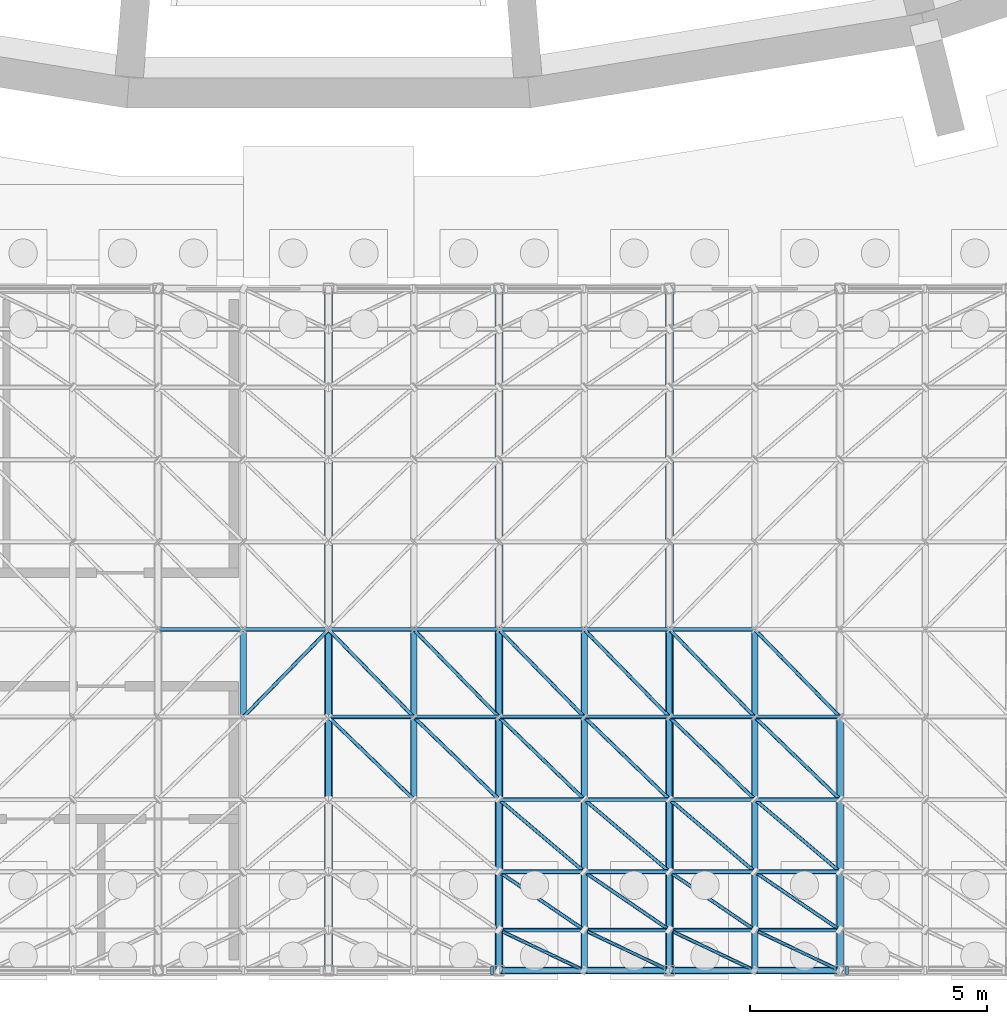
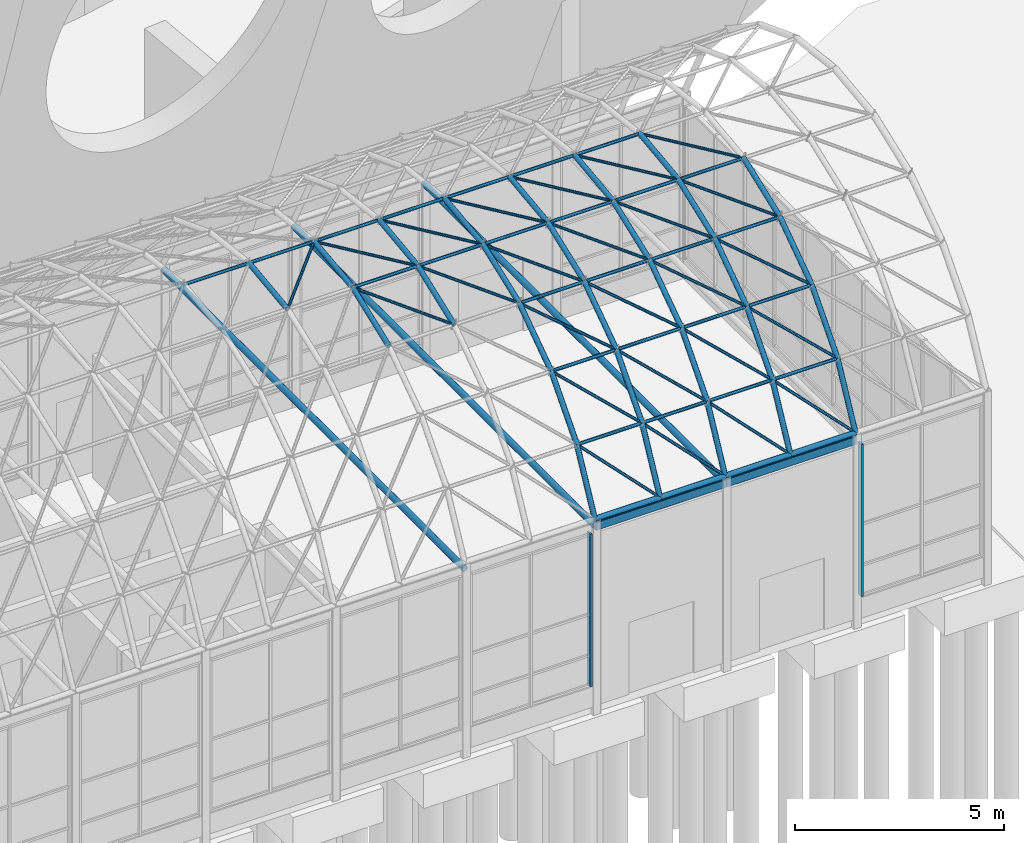
# One storey, part 33 of 116: 88 members, 2 beams, 2 elements without a shape of their own.
"""IFC4 building model written with IfcOpenShell, lengths in metres."""

import ifcopenshell
import ifcopenshell.guid

model = None  # the IFC model being written
_history = None  # IfcOwnerHistory: only IFC2X3 demands one
_inside = {}  # id of a spatial element -> (the spatial element, [elements in it])
_under = {}  # id of a project, library or spatial element -> (it, [spatial elements below it])
_declared = {}  # id of a project -> (the project, [libraries it declares])
_typed = {}  # id of a type object -> (the type object, [elements of that type])
_made_of = {}  # id of a material, layer set ... -> (it, [elements and type objects made of it])


def new_model(schema):
    """Start an empty IFC model of exactly this schema.

    Asked for "IFC4X3", IfcOpenShell would pick the latest addendum, in which some entities
    have other attributes; the version numbers below select the first issue.
    IFC2X3 requires an IfcOwnerHistory on every rooted entity: one is made here for all.
    """
    global model, _history
    if schema == "IFC4X3":
        model = ifcopenshell.file(schema_version=(4, 3, 0, 0))
    else:
        model = ifcopenshell.file(schema=schema)
    _inside.clear()
    _under.clear()
    _declared.clear()
    _typed.clear()
    _made_of.clear()
    _history = None
    if model.schema == "IFC2X3":
        org = make("IfcOrganization", Name="unknown")
        user = make(
            "IfcPersonAndOrganization",
            ThePerson=make("IfcPerson", FamilyName="unknown"),
            TheOrganization=org,
        )
        app = make(
            "IfcApplication",
            ApplicationDeveloper=org,
            Version="unknown",
            ApplicationFullName="unknown",
            ApplicationIdentifier="unknown",
        )
        _history = make(
            "IfcOwnerHistory",
            OwningUser=user,
            OwningApplication=app,
            ChangeAction="ADDED",
            CreationDate=0,
        )
    return model


def make(cls, **values):
    """One entity of the class cls with the attributes given. An attribute that is None is left unset."""
    return model.create_entity(
        cls, **{name: value for name, value in values.items() if value is not None}
    )


def rooted(cls, **values):
    """An entity with a GlobalId (a new one), such as an element, a storey or a relation."""
    return make(cls, GlobalId=ifcopenshell.guid.new(), OwnerHistory=_history, **values)


def si_unit(unit_type, name, prefix=None):
    """IfcSIUnit, for example si_unit("LENGTHUNIT", "METRE", prefix="MILLI")."""
    return make("IfcSIUnit", UnitType=unit_type, Prefix=prefix, Name=name)


def assignment(units):
    """IfcUnitAssignment: the units of a project."""
    return None if units is None else make("IfcUnitAssignment", Units=units)


def point(xyz):
    """IfcCartesianPoint."""
    return None if xyz is None else make("IfcCartesianPoint", Coordinates=xyz)


def direction(xyz):
    """IfcDirection."""
    return None if xyz is None else make("IfcDirection", DirectionRatios=xyz)


def frame(location, z_axis=None, x_axis=None):
    """IfcAxis2Placement3D, a coordinate frame: its origin and axes. An axis left out is left unset."""
    return make(
        "IfcAxis2Placement3D",
        Location=point(location),
        Axis=direction(z_axis),
        RefDirection=direction(x_axis),
    )


def frame_2d(location, x_axis=None):
    """IfcAxis2Placement2D, a coordinate frame in the plane: its origin and x axis."""
    return make(
        "IfcAxis2Placement2D", Location=point(location), RefDirection=direction(x_axis)
    )


def origin():
    """The frame at (0, 0, 0) with its axes left unset."""
    return frame((0.0, 0.0, 0.0))


def origin_2d():
    """The frame at (0, 0) in the plane with its x axis left unset."""
    return frame_2d((0.0, 0.0))


def place(relative_to, where):
    """IfcLocalPlacement: puts the frame where relative to a parent placement (None: the world)."""
    return make(
        "IfcLocalPlacement", PlacementRelTo=relative_to, RelativePlacement=where
    )


def context(
    kind, dimensions, precision=None, world=None, true_north=None, identifier=None
):
    """IfcGeometricRepresentationContext, for example the 3D "Model" context."""
    return make(
        "IfcGeometricRepresentationContext",
        ContextIdentifier=identifier,
        ContextType=kind,
        CoordinateSpaceDimension=dimensions,
        Precision=precision,
        WorldCoordinateSystem=world,
        TrueNorth=true_north,
    )


def subcontext(parent, identifier, kind, view, scale=None):
    """IfcGeometricRepresentationSubContext, for example "Body" below "Model"."""
    return make(
        "IfcGeometricRepresentationSubContext",
        ContextIdentifier=identifier,
        ContextType=kind,
        ParentContext=parent,
        TargetScale=scale,
        TargetView=view,
    )


def project(units=None, contexts=None):
    """IfcProject with its units and contexts."""
    return rooted(
        "IfcProject",
        Name="project",
        RepresentationContexts=contexts,
        UnitsInContext=assignment(units),
    )


def spatial(cls, under=None, at=None, **own):
    """A site, building, storey or space (cls), placed at a placement, below another one or the project."""
    s = rooted(cls, ObjectPlacement=at, **own)
    if under is not None:
        _under.setdefault(under.id(), (under, []))[1].append(s)
    return s


def profile(cls, at=None, kind="AREA", **sizes):
    """A parametric profile (cls). Its sizes go by their IFC names, for example OverallWidth=200.0."""
    return make(cls, ProfileType=kind, Position=at, **sizes)


def rectangle(**sizes):
    """IfcRectangleProfileDef."""
    return profile("IfcRectangleProfileDef", **sizes)


def hollow_rectangle(**sizes):
    """IfcRectangleHollowProfileDef."""
    return profile("IfcRectangleHollowProfileDef", **sizes)


def hollow_circle(**sizes):
    """IfcCircleHollowProfileDef."""
    return profile("IfcCircleHollowProfileDef", **sizes)


def extrude(swept, where, along, depth):
    """IfcExtrudedAreaSolid: the profile swept, set in the frame where, extruded along a direction by depth."""
    return make(
        "IfcExtrudedAreaSolid",
        SweptArea=swept,
        Position=where,
        ExtrudedDirection=direction(along),
        Depth=depth,
    )


def shape(context_of_items, identifier, shape_type, items):
    """IfcShapeRepresentation: the items that make up one representation, for example the "Body"."""
    return make(
        "IfcShapeRepresentation",
        ContextOfItems=context_of_items,
        RepresentationIdentifier=identifier,
        RepresentationType=shape_type,
        Items=items,
    )


def material(Name=None, Category=None):
    """IfcMaterial."""
    return make("IfcMaterial", Name=Name, Category=Category)


def layer(
    of_material, thickness, ventilated=None, Name=None, Category=None, Priority=None
):
    """IfcMaterialLayer: one layer of a wall or slab, of a material (None: an air gap)."""
    return make(
        "IfcMaterialLayer",
        Material=of_material,
        LayerThickness=thickness,
        IsVentilated=ventilated,
        Name=Name,
        Category=Category,
        Priority=Priority,
    )


def layer_set(layers, Name=None):
    """IfcMaterialLayerSet."""
    return make("IfcMaterialLayerSet", MaterialLayers=layers, LayerSetName=Name)


def material_profile(
    of_material, cross_section, Name=None, Category=None, Priority=None
):
    """IfcMaterialProfile: a cross section and its material."""
    return make(
        "IfcMaterialProfile",
        Name=Name,
        Material=of_material,
        Profile=cross_section,
        Priority=Priority,
        Category=Category,
    )


def profile_set(profiles, Name=None, composite=None):
    """IfcMaterialProfileSet."""
    return make(
        "IfcMaterialProfileSet",
        Name=Name,
        MaterialProfiles=profiles,
        CompositeProfile=composite,
    )


def made_of(thing, what):
    """Note that an element or type object is made of a material, layer set ...; save() writes the relation."""
    if what is not None:
        _made_of.setdefault(what.id(), (what, []))[1].append(thing)
    return thing


def type_object(cls, material=None, **own):
    """A type object (cls), such as IfcWallType, which elements share."""
    return made_of(rooted(cls, **own), material)


def element(
    cls,
    number,
    at=None,
    inside=None,
    cuts=None,
    type_object=None,
    material=None,
    context=None,
    identifier="Body",
    shape_type=None,
    held_by="IfcProductDefinitionShape",
    body=None,
    shapes=None,
    **own,
):
    """One element of the class cls, such as IfcWall. Its Tag is "e" and its number.

    at: its placement. inside: the storey or other place that contains it. cuts: it is an
    opening in that element (IfcRelVoidsElement). A single representation is given by context,
    identifier, shape_type and body (its items); several are given by shapes. held_by: the class
    of the entity that holds the representations. save() writes the other relations.
    """
    e = rooted(cls, Tag="e%d" % number, ObjectPlacement=at, **own)
    if body is not None:
        shapes = [shape(context, identifier, shape_type, body)]
    if shapes is not None:
        e.Representation = make(held_by, Representations=shapes)
    if inside is not None:
        _inside.setdefault(inside.id(), (inside, []))[1].append(e)
    if cuts is not None:
        rooted(
            "IfcRelVoidsElement", RelatingBuildingElement=cuts, RelatedOpeningElement=e
        )
    if type_object is not None:
        _typed.setdefault(type_object.id(), (type_object, []))[1].append(e)
    return made_of(e, material)


def aggregate(whole, parts):
    """IfcRelAggregates: a whole, such as a stair, and the parts it consists of."""
    return rooted("IfcRelAggregates", RelatingObject=whole, RelatedObjects=parts)


def save(model, path):
    """Write the relations noted so far, then the file.

    IfcRelAggregates (storeys below a building ...), IfcRelContainedInSpatialStructure (elements
    in a storey), IfcRelDefinesByType, IfcRelAssociatesMaterial and IfcRelDeclares: one each for
    every whole, place, type object, material and project.
    """
    for whole, parts in _under.values():
        aggregate(whole, parts)
    for where, things in _inside.values():
        rooted(
            "IfcRelContainedInSpatialStructure",
            RelatedElements=things,
            RelatingStructure=where,
        )
    for kind, things in _typed.values():
        rooted("IfcRelDefinesByType", RelatedObjects=things, RelatingType=kind)
    for what, things in _made_of.values():
        rooted("IfcRelAssociatesMaterial", RelatedObjects=things, RelatingMaterial=what)
    for by, libraries in _declared.values():
        rooted("IfcRelDeclares", RelatingContext=by, RelatedDefinitions=libraries)
    model.write(path)


model = new_model("IFC4")

# Units and contexts
model_context = context("Model", 3, precision=1e-05, world=origin(), true_north=direction((0.0, 1.0)))
body_context = subcontext(model_context, "Body", "Model", "MODEL_VIEW")
ifc_project = project(units=[si_unit("LENGTHUNIT", "METRE"), si_unit("AREAUNIT", "SQUARE_METRE"), si_unit("VOLUMEUNIT", "CUBIC_METRE"), si_unit("PLANEANGLEUNIT", "RADIAN"), si_unit("MASSUNIT", "GRAM", prefix="KILO")], contexts=[model_context])

# Site, building, storey
site_placement = place(None, origin())
site = spatial("IfcSite", under=ifc_project, at=site_placement, CompositionType="ELEMENT")
building_placement = place(site_placement, origin())
building = spatial("IfcBuilding", under=site, at=building_placement, Name="Ardhachandra Cancer Care Centre", CompositionType="ELEMENT")
storey_placement = place(building_placement, origin())
storey = spatial("IfcBuildingStorey", under=building, at=storey_placement, Name="L00", CompositionType="ELEMENT", Elevation=0.0)

# Beams
ifc_material_1 = material(Name="Steel E350 (IS 2062)", Category="steel")
ifc_material_profile_1 = material_profile(ifc_material_1, hollow_rectangle(XDim=0.1201171875, YDim=0.239990234375, WallThickness=0.006103515625, InnerFilletRadius=0.006103515625, OuterFilletRadius=0.011962890625, at=origin_2d()), Name="RHS 240x120x6.0")
ifc_profile_set_1 = profile_set([ifc_material_profile_1], Name="Steel E350 (IS 2062)")
beam_type = type_object("IfcBeamType", Name="Beam RHS 240x120x6.0", PredefinedType="BEAM", material=ifc_profile_set_1)
beam_1_placement = place(storey_placement, frame((81.60009765625, 7.199951171875, 5.210205078125), z_axis=(1.0, 0.0, 0.0), x_axis=(0.0, 1.0, 0.0)))
element("IfcBeam", 1, at=beam_1_placement, inside=storey, type_object=beam_type, Name="Pavilion edge beam S6-7", PredefinedType="BEAM", context=body_context, shape_type="SweptSolid", body=[
    extrude(hollow_rectangle(XDim=0.1201171875, YDim=0.239990234375, WallThickness=0.006103515625, InnerFilletRadius=0.006103515625, OuterFilletRadius=0.011962890625, at=origin_2d()), origin(), (0.0, 0.0, 1.0), 3.599853515625),
])
beam_2_placement = place(storey_placement, frame((85.199951171875, 7.199951171875, 5.210205078125), z_axis=(1.0, 0.0, 0.0), x_axis=(0.0, 1.0, 0.0)))
element("IfcBeam", 2, at=beam_2_placement, inside=storey, type_object=beam_type, Name="Pavilion edge beam S7-8", PredefinedType="BEAM", context=body_context, shape_type="SweptSolid", body=[
    extrude(hollow_rectangle(XDim=0.1201171875, YDim=0.239990234375, WallThickness=0.006103515625, InnerFilletRadius=0.006103515625, OuterFilletRadius=0.011962890625, at=origin_2d()), origin(), (0.0, 0.0, 1.0), 3.60009765625),
])

# Curtain wall, member
ifc_material_2 = material(Name="Aluminium extrusion", Category="aluminium")
ifc_layer = layer(ifc_material_2, 0.14990234375)
ifc_layer_set = layer_set([ifc_layer], Name="Aluminium extrusion")
curtain_wall_type = type_object("IfcCurtainWallType", Name="Curtain wall run", PredefinedType="NOTDEFINED", material=ifc_layer_set)
curtain_wall_1_placement = place(storey_placement, origin())
curtain_wall_1 = element("IfcCurtainWall", 3, at=curtain_wall_1_placement, inside=storey, type_object=curtain_wall_type, Name="Curtain wall L00 s/0078000_0007200", PredefinedType="NOTDEFINED")
ifc_material_3 = material(Name="Aluminium extrusion", Category="aluminium")
ifc_material_profile_2 = material_profile(ifc_material_3, rectangle(XDim=0.159912109375, YDim=0.06005859375, at=origin_2d()), Name="Curtain wall mullion 60 x 160")
ifc_profile_set_2 = profile_set([ifc_material_profile_2], Name="Aluminium extrusion")
member_type_1 = type_object("IfcMemberType", Name="Curtain wall mullion 60 x 160", PredefinedType="MULLION", material=ifc_profile_set_2)
member_1_placement = place(storey_placement, frame((81.455078125, 7.199951171875, 0.60009765625), z_axis=(0.0, 0.0, 1.0), x_axis=(0.0, 1.0, 0.0)))
member_1 = element("IfcMember", 4, at=member_1_placement, type_object=member_type_1, Name="CW mullion 3", PredefinedType="MULLION", context=body_context, shape_type="SweptSolid", body=[
    extrude(rectangle(XDim=0.159912109375, YDim=0.06005859375, at=origin_2d()), origin(), (0.0, 0.0, 1.0), 4.449951171875),
])
aggregate(curtain_wall_1, [member_1])

curtain_wall_2_placement = place(storey_placement, origin())
curtain_wall_2 = element("IfcCurtainWall", 5, at=curtain_wall_2_placement, inside=storey, type_object=curtain_wall_type, Name="Curtain wall L00 s/0088800_0007200", PredefinedType="NOTDEFINED")
member_2_placement = place(storey_placement, frame((88.945068359375, 7.199951171875, 0.60009765625), z_axis=(0.0, 0.0, 1.0), x_axis=(0.0, 1.0, 0.0)))
member_2 = element("IfcMember", 6, at=member_2_placement, type_object=member_type_1, Name="CW mullion 1", PredefinedType="MULLION", context=body_context, shape_type="SweptSolid", body=[
    extrude(rectangle(XDim=0.159912109375, YDim=0.06005859375, at=origin_2d()), origin(), (0.0, 0.0, 1.0), 4.449951171875),
])
aggregate(curtain_wall_2, [member_2])

# Members
ifc_material_4 = material(Name="Steel E350 (IS 2062)", Category="steel")
ifc_material_profile_3 = material_profile(ifc_material_4, hollow_circle(Radius=0.0380859375, WallThickness=0.00390625, at=origin_2d()), Name="CHS 76.1x4.0")
ifc_profile_set_3 = profile_set([ifc_material_profile_3], Name="Steel E350 (IS 2062)")
member_type_2 = type_object("IfcMemberType", Name="Pavilion shell Diagonal CHS 76.1x4.0", PredefinedType="BRACE", material=ifc_profile_set_3)
for number, where, z_axis, x_axis, name in (
    (7, (76.199951171875, 12.552734375, 10.174560546875), (0.695264712339, 0.713464371837, 0.087037749829), (-0.716182273472, 0.697913283413, 0.0), "Pavilion shell diagonal 07-04"),
    (8, (79.800048828125, 10.813720703125, 9.51171875), (-0.69522740722, 0.671653983674, 0.25600737971), (-0.694808600346, -0.7191946947, 0.0), "Pavilion shell diagonal 09-03"),
    (9, (79.800048828125, 12.552734375, 10.174560546875), (-0.695264712339, 0.713464371837, 0.087037749829), (-0.716182273472, -0.697913283413, 0.0), "Pavilion shell diagonal 09-04"),
    (10, (81.60009765625, 10.813720703125, 9.51171875), (-0.69522740722, 0.671653983674, 0.25600737971), (-0.694808600346, -0.7191946947, 0.0), "Pavilion shell diagonal 10-03"),
    (11, (81.60009765625, 12.552734375, 10.174560546875), (-0.695264712339, 0.713464371837, 0.087037749829), (-0.716182273472, -0.697913283413, 0.0), "Pavilion shell diagonal 10-04"),
    (12, (83.39990234375, 7.199951171875, 5.39990234375), (-0.69516776168, 0.330798766681, 0.638211531613), (-0.429686325077, -0.902978217922, 0.0), "Pavilion shell diagonal 11-00"),
):
    element("IfcMember", number, at=place(storey_placement, frame(where, z_axis=z_axis, x_axis=x_axis)), inside=storey, type_object=member_type_2, Name=name, PredefinedType="BRACE", context=body_context, shape_type="SweptSolid", body=[
        extrude(hollow_circle(Radius=0.0380859375, WallThickness=0.00390625, at=origin_2d()), origin(), (0.0, 0.0, 1.0), 2.589111328125),
    ])
member_3_placement = place(storey_placement, frame((83.39990234375, 8.056396484375, 7.05224609375), z_axis=(-0.695179469854, 0.474517511164, 0.539961698912), x_axis=(-0.56376782788, -0.825933312228, 0.0)))
element("IfcMember", 13, at=member_3_placement, inside=storey, type_object=member_type_2, Name="Pavilion shell diagonal 11-01", PredefinedType="BRACE", context=body_context, shape_type="SweptSolid", body=[
    extrude(hollow_circle(Radius=0.0380859375, WallThickness=0.00390625, at=origin_2d()), origin(), (0.0, 0.0, 1.0), 2.5888671875),
])
member_4_placement = place(storey_placement, frame((83.39990234375, 9.284912109375, 8.4501953125), z_axis=(-0.695149650411, 0.590481159913, 0.409998735755), x_axis=(-0.647396299531, -0.76215354841, 0.0)))
element("IfcMember", 14, at=member_4_placement, inside=storey, type_object=member_type_2, Name="Pavilion shell diagonal 11-02", PredefinedType="BRACE", context=body_context, shape_type="SweptSolid", body=[
    extrude(hollow_circle(Radius=0.0380859375, WallThickness=0.00390625, at=origin_2d()), origin(), (0.0, 0.0, 1.0), 2.589111328125),
])
for number, where, z_axis, x_axis, name in (
    (15, (83.39990234375, 10.813720703125, 9.51171875), (-0.695178684757, 0.671698015671, 0.256024162929), (-0.694857345354, -0.71914759932, 0.0), "Pavilion shell diagonal 11-03"),
    (16, (83.39990234375, 12.552734375, 10.174560546875), (-0.695215992153, 0.713511149841, 0.087043456424), (-0.716229588145, -0.69786472691, 0.0), "Pavilion shell diagonal 11-04"),
):
    element("IfcMember", number, at=place(storey_placement, frame(where, z_axis=z_axis, x_axis=x_axis)), inside=storey, type_object=member_type_2, Name=name, PredefinedType="BRACE", context=body_context, shape_type="SweptSolid", body=[
        extrude(hollow_circle(Radius=0.0380859375, WallThickness=0.00390625, at=origin_2d()), origin(), (0.0, 0.0, 1.0), 2.5888671875),
    ])
for number, where, z_axis, x_axis, name in (
    (17, (85.199951171875, 7.199951171875, 5.39990234375), (-0.695216484809, 0.330777082424, 0.638169696079), (-0.429638804888, -0.903000829088, 0.0), "Pavilion shell diagonal 12-00"),
    (18, (85.199951171875, 8.056396484375, 7.05224609375), (-0.695228192268, 0.474486404923, 0.539926302581), (-0.563715663494, -0.825968916323, 0.0), "Pavilion shell diagonal 12-01"),
):
    element("IfcMember", number, at=place(storey_placement, frame(where, z_axis=z_axis, x_axis=x_axis)), inside=storey, type_object=member_type_2, Name=name, PredefinedType="BRACE", context=body_context, shape_type="SweptSolid", body=[
        extrude(hollow_circle(Radius=0.0380859375, WallThickness=0.00390625, at=origin_2d()), origin(), (0.0, 0.0, 1.0), 2.589111328125),
    ])
member_5_placement = place(storey_placement, frame((85.199951171875, 9.284912109375, 8.4501953125), z_axis=(-0.695198374646, 0.590442455179, 0.409971861245), x_axis=(-0.647345290396, -0.762196874175, 0.0)))
element("IfcMember", 19, at=member_5_placement, inside=storey, type_object=member_type_2, Name="Pavilion shell diagonal 12-02", PredefinedType="BRACE", context=body_context, shape_type="SweptSolid", body=[
    extrude(hollow_circle(Radius=0.0380859375, WallThickness=0.00390625, at=origin_2d()), origin(), (0.0, 0.0, 1.0), 2.58935546875),
])
for number, where, z_axis, x_axis, name in (
    (20, (85.199951171875, 10.813720703125, 9.51171875), (-0.69522740722, 0.671653983674, 0.25600737971), (-0.694808600346, -0.7191946947, 0.0), "Pavilion shell diagonal 12-03"),
    (21, (85.199951171875, 12.552734375, 10.174560546875), (-0.695264712339, 0.713464371837, 0.087037749829), (-0.716182273472, -0.697913283413, 0.0), "Pavilion shell diagonal 12-04"),
    (22, (87.0, 7.199951171875, 5.39990234375), (-0.695216484809, 0.330777082424, 0.638169696079), (-0.429638804888, -0.903000829088, 0.0), "Pavilion shell diagonal 13-00"),
    (23, (87.0, 8.056396484375, 7.05224609375), (-0.695228192268, 0.474486404923, 0.539926302581), (-0.563715663494, -0.825968916323, 0.0), "Pavilion shell diagonal 13-01"),
):
    element("IfcMember", number, at=place(storey_placement, frame(where, z_axis=z_axis, x_axis=x_axis)), inside=storey, type_object=member_type_2, Name=name, PredefinedType="BRACE", context=body_context, shape_type="SweptSolid", body=[
        extrude(hollow_circle(Radius=0.0380859375, WallThickness=0.00390625, at=origin_2d()), origin(), (0.0, 0.0, 1.0), 2.589111328125),
    ])
member_6_placement = place(storey_placement, frame((87.0, 9.284912109375, 8.4501953125), z_axis=(-0.695198374646, 0.590442455179, 0.409971861245), x_axis=(-0.647345290396, -0.762196874175, 0.0)))
element("IfcMember", 24, at=member_6_placement, inside=storey, type_object=member_type_2, Name="Pavilion shell diagonal 13-02", PredefinedType="BRACE", context=body_context, shape_type="SweptSolid", body=[
    extrude(hollow_circle(Radius=0.0380859375, WallThickness=0.00390625, at=origin_2d()), origin(), (0.0, 0.0, 1.0), 2.58935546875),
])
for number, where, z_axis, x_axis, name in (
    (25, (87.0, 10.813720703125, 9.51171875), (-0.69522740722, 0.671653983674, 0.25600737971), (-0.694808600346, -0.7191946947, 0.0), "Pavilion shell diagonal 13-03"),
    (26, (87.0, 12.552734375, 10.174560546875), (-0.695264712339, 0.713464371837, 0.087037749829), (-0.716182273472, -0.697913283413, 0.0), "Pavilion shell diagonal 13-04"),
    (27, (88.800048828125, 7.199951171875, 5.39990234375), (-0.695216484809, 0.330777082424, 0.638169696079), (-0.429638804888, -0.903000829088, 0.0), "Pavilion shell diagonal 14-00"),
    (28, (88.800048828125, 8.056396484375, 7.05224609375), (-0.695228192268, 0.474486404923, 0.539926302581), (-0.563715663494, -0.825968916323, 0.0), "Pavilion shell diagonal 14-01"),
):
    element("IfcMember", number, at=place(storey_placement, frame(where, z_axis=z_axis, x_axis=x_axis)), inside=storey, type_object=member_type_2, Name=name, PredefinedType="BRACE", context=body_context, shape_type="SweptSolid", body=[
        extrude(hollow_circle(Radius=0.0380859375, WallThickness=0.00390625, at=origin_2d()), origin(), (0.0, 0.0, 1.0), 2.589111328125),
    ])
member_7_placement = place(storey_placement, frame((88.800048828125, 9.284912109375, 8.4501953125), z_axis=(-0.695198374646, 0.590442455179, 0.409971861245), x_axis=(-0.647345290396, -0.762196874175, 0.0)))
element("IfcMember", 29, at=member_7_placement, inside=storey, type_object=member_type_2, Name="Pavilion shell diagonal 14-02", PredefinedType="BRACE", context=body_context, shape_type="SweptSolid", body=[
    extrude(hollow_circle(Radius=0.0380859375, WallThickness=0.00390625, at=origin_2d()), origin(), (0.0, 0.0, 1.0), 2.58935546875),
])
for number, where, z_axis, x_axis, name in (
    (30, (88.800048828125, 10.813720703125, 9.51171875), (-0.69522740722, 0.671653983674, 0.25600737971), (-0.694808600346, -0.7191946947, 0.0), "Pavilion shell diagonal 14-03"),
    (31, (88.800048828125, 12.552734375, 10.174560546875), (-0.695264712339, 0.713464371837, 0.087037749829), (-0.716182273472, -0.697913283413, 0.0), "Pavilion shell diagonal 14-04"),
):
    element("IfcMember", number, at=place(storey_placement, frame(where, z_axis=z_axis, x_axis=x_axis)), inside=storey, type_object=member_type_2, Name=name, PredefinedType="BRACE", context=body_context, shape_type="SweptSolid", body=[
        extrude(hollow_circle(Radius=0.0380859375, WallThickness=0.00390625, at=origin_2d()), origin(), (0.0, 0.0, 1.0), 2.589111328125),
    ])
ifc_material_5 = material(Name="Steel E350 (IS 2062)", Category="steel")
ifc_material_profile_4 = material_profile(ifc_material_5, hollow_circle(Radius=0.06982421875, WallThickness=0.0048828125, at=origin_2d()), Name="CHS 139.7x5.0")
ifc_profile_set_4 = profile_set([ifc_material_profile_4], Name="Steel E350 (IS 2062)")
member_type_3 = type_object("IfcMemberType", Name="Pavilion shell Purlin CHS 139.7x5.0", PredefinedType="PURLIN", material=ifc_profile_set_4)
member_8_placement = place(storey_placement, frame((81.60009765625, 7.199951171875, 5.39990234375), z_axis=(1.0, 0.0, 0.0), x_axis=(0.0, 1.0, 0.0)))
element("IfcMember", 32, at=member_8_placement, inside=storey, type_object=member_type_3, Name="Pavilion shell purlin 10-00", PredefinedType="PURLIN", context=body_context, shape_type="SweptSolid", body=[
    extrude(hollow_circle(Radius=0.06982421875, WallThickness=0.0048828125, at=origin_2d()), origin(), (0.0, 0.0, 1.0), 1.7998046875),
])
for number, where, z_axis, x_axis, name in (
    (33, (83.39990234375, 7.199951171875, 5.39990234375), (1.0, 0.0, 0.0), (0.0, 1.0, 0.0), "Pavilion shell purlin 11-00"),
    (34, (85.199951171875, 7.199951171875, 5.39990234375), (1.0, 0.0, 0.0), (0.0, 1.0, 0.0), "Pavilion shell purlin 12-00"),
    (35, (87.0, 7.199951171875, 5.39990234375), (1.0, 0.0, 0.0), (0.0, 1.0, 0.0), "Pavilion shell purlin 13-00"),
):
    element("IfcMember", number, at=place(storey_placement, frame(where, z_axis=z_axis, x_axis=x_axis)), inside=storey, type_object=member_type_3, Name=name, PredefinedType="PURLIN", context=body_context, shape_type="SweptSolid", body=[
        extrude(hollow_circle(Radius=0.06982421875, WallThickness=0.0048828125, at=origin_2d()), origin(), (0.0, 0.0, 1.0), 1.800048828125),
    ])
ifc_material_6 = material(Name="Steel E350 (IS 2062)", Category="steel")
ifc_material_profile_5 = material_profile(ifc_material_6, hollow_circle(Radius=0.04443359375, WallThickness=0.00390625, at=origin_2d()), Name="CHS 88.9x4.0")
ifc_profile_set_5 = profile_set([ifc_material_profile_5], Name="Steel E350 (IS 2062)")
member_type_4 = type_object("IfcMemberType", Name="Pavilion shell Purlin CHS 88.9x4.0", PredefinedType="PURLIN", material=ifc_profile_set_5)
member_9_placement = place(storey_placement, frame((81.60009765625, 8.056396484375, 7.05224609375), z_axis=(1.0, 0.0, 0.0), x_axis=(0.0, 1.0, 0.0)))
element("IfcMember", 36, at=member_9_placement, inside=storey, type_object=member_type_4, Name="Pavilion shell purlin 10-01", PredefinedType="PURLIN", context=body_context, shape_type="SweptSolid", body=[
    extrude(hollow_circle(Radius=0.04443359375, WallThickness=0.00390625, at=origin_2d()), origin(), (0.0, 0.0, 1.0), 1.7998046875),
])
for number, where, z_axis, x_axis, name in (
    (37, (83.39990234375, 8.056396484375, 7.05224609375), (1.0, 0.0, 0.0), (0.0, 1.0, 0.0), "Pavilion shell purlin 11-01"),
    (38, (85.199951171875, 8.056396484375, 7.05224609375), (1.0, 0.0, 0.0), (0.0, 1.0, 0.0), "Pavilion shell purlin 12-01"),
    (39, (87.0, 8.056396484375, 7.05224609375), (1.0, 0.0, 0.0), (0.0, 1.0, 0.0), "Pavilion shell purlin 13-01"),
):
    element("IfcMember", number, at=place(storey_placement, frame(where, z_axis=z_axis, x_axis=x_axis)), inside=storey, type_object=member_type_4, Name=name, PredefinedType="PURLIN", context=body_context, shape_type="SweptSolid", body=[
        extrude(hollow_circle(Radius=0.04443359375, WallThickness=0.00390625, at=origin_2d()), origin(), (0.0, 0.0, 1.0), 1.800048828125),
    ])
member_10_placement = place(storey_placement, frame((81.60009765625, 9.284912109375, 8.4501953125), z_axis=(1.0, 0.0, 0.0), x_axis=(0.0, 1.0, 0.0)))
element("IfcMember", 40, at=member_10_placement, inside=storey, type_object=member_type_4, Name="Pavilion shell purlin 10-02", PredefinedType="PURLIN", context=body_context, shape_type="SweptSolid", body=[
    extrude(hollow_circle(Radius=0.04443359375, WallThickness=0.00390625, at=origin_2d()), origin(), (0.0, 0.0, 1.0), 1.7998046875),
])
for number, where, z_axis, x_axis, name in (
    (41, (83.39990234375, 9.284912109375, 8.4501953125), (1.0, 0.0, 0.0), (0.0, 1.0, 0.0), "Pavilion shell purlin 11-02"),
    (42, (85.199951171875, 9.284912109375, 8.4501953125), (1.0, 0.0, 0.0), (0.0, 1.0, 0.0), "Pavilion shell purlin 12-02"),
    (43, (87.0, 9.284912109375, 8.4501953125), (1.0, 0.0, 0.0), (0.0, 1.0, 0.0), "Pavilion shell purlin 13-02"),
):
    element("IfcMember", number, at=place(storey_placement, frame(where, z_axis=z_axis, x_axis=x_axis)), inside=storey, type_object=member_type_4, Name=name, PredefinedType="PURLIN", context=body_context, shape_type="SweptSolid", body=[
        extrude(hollow_circle(Radius=0.04443359375, WallThickness=0.00390625, at=origin_2d()), origin(), (0.0, 0.0, 1.0), 1.800048828125),
    ])
member_11_placement = place(storey_placement, frame((81.60009765625, 10.813720703125, 9.51171875), z_axis=(1.0, 0.0, 0.0), x_axis=(0.0, 1.0, 0.0)))
element("IfcMember", 44, at=member_11_placement, inside=storey, type_object=member_type_4, Name="Pavilion shell purlin 10-03", PredefinedType="PURLIN", context=body_context, shape_type="SweptSolid", body=[
    extrude(hollow_circle(Radius=0.04443359375, WallThickness=0.00390625, at=origin_2d()), origin(), (0.0, 0.0, 1.0), 1.7998046875),
])
for number, where, z_axis, x_axis, name in (
    (45, (83.39990234375, 10.813720703125, 9.51171875), (1.0, 0.0, 0.0), (0.0, 1.0, 0.0), "Pavilion shell purlin 11-03"),
    (46, (85.199951171875, 10.813720703125, 9.51171875), (1.0, 0.0, 0.0), (0.0, 1.0, 0.0), "Pavilion shell purlin 12-03"),
    (47, (87.0, 10.813720703125, 9.51171875), (1.0, 0.0, 0.0), (0.0, 1.0, 0.0), "Pavilion shell purlin 13-03"),
    (48, (78.0, 12.552734375, 10.174560546875), (1.0, 0.0, 0.0), (0.0, 1.0, 0.0), "Pavilion shell purlin 08-04"),
    (49, (79.800048828125, 12.552734375, 10.174560546875), (1.0, 0.0, 0.0), (0.0, 1.0, 0.0), "Pavilion shell purlin 09-04"),
):
    element("IfcMember", number, at=place(storey_placement, frame(where, z_axis=z_axis, x_axis=x_axis)), inside=storey, type_object=member_type_4, Name=name, PredefinedType="PURLIN", context=body_context, shape_type="SweptSolid", body=[
        extrude(hollow_circle(Radius=0.04443359375, WallThickness=0.00390625, at=origin_2d()), origin(), (0.0, 0.0, 1.0), 1.800048828125),
    ])
member_12_placement = place(storey_placement, frame((81.60009765625, 12.552734375, 10.174560546875), z_axis=(1.0, 0.0, 0.0), x_axis=(0.0, 1.0, 0.0)))
element("IfcMember", 50, at=member_12_placement, inside=storey, type_object=member_type_4, Name="Pavilion shell purlin 10-04", PredefinedType="PURLIN", context=body_context, shape_type="SweptSolid", body=[
    extrude(hollow_circle(Radius=0.04443359375, WallThickness=0.00390625, at=origin_2d()), origin(), (0.0, 0.0, 1.0), 1.7998046875),
])
for number, where, z_axis, x_axis, name in (
    (51, (83.39990234375, 12.552734375, 10.174560546875), (1.0, 0.0, 0.0), (0.0, 1.0, 0.0), "Pavilion shell purlin 11-04"),
    (52, (85.199951171875, 12.552734375, 10.174560546875), (1.0, 0.0, 0.0), (0.0, 1.0, 0.0), "Pavilion shell purlin 12-04"),
    (53, (87.0, 12.552734375, 10.174560546875), (1.0, 0.0, 0.0), (0.0, 1.0, 0.0), "Pavilion shell purlin 13-04"),
    (54, (74.39990234375, 14.39990234375, 10.39990234375), (1.0, 0.0, 0.0), (0.0, 1.0, 0.0), "Pavilion shell purlin 06-05"),
    (55, (76.199951171875, 14.39990234375, 10.39990234375), (1.0, 0.0, 0.0), (0.0, 1.0, 0.0), "Pavilion shell purlin 07-05"),
    (56, (78.0, 14.39990234375, 10.39990234375), (1.0, 0.0, 0.0), (0.0, 1.0, 0.0), "Pavilion shell purlin 08-05"),
    (57, (79.800048828125, 14.39990234375, 10.39990234375), (1.0, 0.0, 0.0), (0.0, 1.0, 0.0), "Pavilion shell purlin 09-05"),
):
    element("IfcMember", number, at=place(storey_placement, frame(where, z_axis=z_axis, x_axis=x_axis)), inside=storey, type_object=member_type_4, Name=name, PredefinedType="PURLIN", context=body_context, shape_type="SweptSolid", body=[
        extrude(hollow_circle(Radius=0.04443359375, WallThickness=0.00390625, at=origin_2d()), origin(), (0.0, 0.0, 1.0), 1.800048828125),
    ])
member_13_placement = place(storey_placement, frame((81.60009765625, 14.39990234375, 10.39990234375), z_axis=(1.0, 0.0, 0.0), x_axis=(0.0, 1.0, 0.0)))
element("IfcMember", 58, at=member_13_placement, inside=storey, type_object=member_type_4, Name="Pavilion shell purlin 10-05", PredefinedType="PURLIN", context=body_context, shape_type="SweptSolid", body=[
    extrude(hollow_circle(Radius=0.04443359375, WallThickness=0.00390625, at=origin_2d()), origin(), (0.0, 0.0, 1.0), 1.7998046875),
])
for number, where, z_axis, x_axis, name in (
    (59, (83.39990234375, 14.39990234375, 10.39990234375), (1.0, 0.0, 0.0), (0.0, 1.0, 0.0), "Pavilion shell purlin 11-05"),
    (60, (85.199951171875, 14.39990234375, 10.39990234375), (1.0, 0.0, 0.0), (0.0, 1.0, 0.0), "Pavilion shell purlin 12-05"),
):
    element("IfcMember", number, at=place(storey_placement, frame(where, z_axis=z_axis, x_axis=x_axis)), inside=storey, type_object=member_type_4, Name=name, PredefinedType="PURLIN", context=body_context, shape_type="SweptSolid", body=[
        extrude(hollow_circle(Radius=0.04443359375, WallThickness=0.00390625, at=origin_2d()), origin(), (0.0, 0.0, 1.0), 1.800048828125),
    ])
ifc_material_7 = material(Name="Steel E350 (IS 2062)", Category="steel")
ifc_material_profile_6 = material_profile(ifc_material_7, hollow_circle(Radius=0.06982421875, WallThickness=0.0048828125, at=origin_2d()), Name="CHS 139.7x5.0")
ifc_profile_set_6 = profile_set([ifc_material_profile_6], Name="Steel E350 (IS 2062)")
member_type_5 = type_object("IfcMemberType", Name="Pavilion shell Rib CHS 139.7x5.0", PredefinedType="RAFTER", material=ifc_profile_set_6)
member_14_placement = place(storey_placement, frame((76.199951171875, 12.552734375, 10.174560546875), z_axis=(0.0, 0.992640877969, 0.121095364838), x_axis=(-1.0, 0.0, 0.0)))
element("IfcMember", 61, at=member_14_placement, inside=storey, type_object=member_type_5, Name="Pavilion shell rib 07-04", PredefinedType="RAFTER", context=body_context, shape_type="SweptSolid", body=[
    extrude(hollow_circle(Radius=0.06982421875, WallThickness=0.0048828125, at=origin_2d()), origin(), (0.0, 0.0, 1.0), 1.86083984375),
])
member_15_placement = place(storey_placement, frame((78.0, 10.813720703125, 9.51171875), z_axis=(0.0, 0.934423296617, 0.356164432165), x_axis=(-1.0, 0.0, 0.0)))
element("IfcMember", 62, at=member_15_placement, inside=storey, type_object=member_type_5, Name="Pavilion shell rib 08-03", PredefinedType="RAFTER", context=body_context, shape_type="SweptSolid", body=[
    extrude(hollow_circle(Radius=0.06982421875, WallThickness=0.0048828125, at=origin_2d()), origin(), (0.0, 0.0, 1.0), 1.861083984375),
])
member_16_placement = place(storey_placement, frame((78.0, 12.552734375, 10.174560546875), z_axis=(0.0, 0.992640877969, 0.121095364838), x_axis=(-1.0, 0.0, 0.0)))
element("IfcMember", 63, at=member_16_placement, inside=storey, type_object=member_type_5, Name="Pavilion shell rib 08-04", PredefinedType="RAFTER", context=body_context, shape_type="SweptSolid", body=[
    extrude(hollow_circle(Radius=0.06982421875, WallThickness=0.0048828125, at=origin_2d()), origin(), (0.0, 0.0, 1.0), 1.86083984375),
])
member_17_placement = place(storey_placement, frame((79.800048828125, 10.813720703125, 9.51171875), z_axis=(0.0, 0.934423296617, 0.356164432165), x_axis=(-1.0, 0.0, 0.0)))
element("IfcMember", 64, at=member_17_placement, inside=storey, type_object=member_type_5, Name="Pavilion shell rib 09-03", PredefinedType="RAFTER", context=body_context, shape_type="SweptSolid", body=[
    extrude(hollow_circle(Radius=0.06982421875, WallThickness=0.0048828125, at=origin_2d()), origin(), (0.0, 0.0, 1.0), 1.861083984375),
])
member_18_placement = place(storey_placement, frame((79.800048828125, 12.552734375, 10.174560546875), z_axis=(0.0, 0.992640877969, 0.121095364838), x_axis=(-1.0, 0.0, 0.0)))
element("IfcMember", 65, at=member_18_placement, inside=storey, type_object=member_type_5, Name="Pavilion shell rib 09-04", PredefinedType="RAFTER", context=body_context, shape_type="SweptSolid", body=[
    extrude(hollow_circle(Radius=0.06982421875, WallThickness=0.0048828125, at=origin_2d()), origin(), (0.0, 0.0, 1.0), 1.86083984375),
])
for number, where, z_axis, x_axis, name in (
    (66, (81.60009765625, 7.199951171875, 5.39990234375), (0.0, 0.460179313582, 0.8878259961), (-1.0, 0.0, 0.0), "Pavilion shell rib 10-00"),
    (67, (81.60009765625, 8.056396484375, 7.05224609375), (0.0, 0.66011909381, 0.751160956112), (-1.0, 0.0, 0.0), "Pavilion shell rib 10-01"),
    (68, (81.60009765625, 9.284912109375, 8.4501953125), (0.0, 0.821407520032, 0.570341727419), (-1.0, 0.0, 0.0), "Pavilion shell rib 10-02"),
    (69, (81.60009765625, 10.813720703125, 9.51171875), (0.0, 0.934423296617, 0.356164432165), (-1.0, 0.0, 0.0), "Pavilion shell rib 10-03"),
):
    element("IfcMember", number, at=place(storey_placement, frame(where, z_axis=z_axis, x_axis=x_axis)), inside=storey, type_object=member_type_5, Name=name, PredefinedType="RAFTER", context=body_context, shape_type="SweptSolid", body=[
        extrude(hollow_circle(Radius=0.06982421875, WallThickness=0.0048828125, at=origin_2d()), origin(), (0.0, 0.0, 1.0), 1.861083984375),
    ])
member_19_placement = place(storey_placement, frame((81.60009765625, 12.552734375, 10.174560546875), z_axis=(0.0, 0.992640877969, 0.121095364838), x_axis=(-1.0, 0.0, 0.0)))
element("IfcMember", 70, at=member_19_placement, inside=storey, type_object=member_type_5, Name="Pavilion shell rib 10-04", PredefinedType="RAFTER", context=body_context, shape_type="SweptSolid", body=[
    extrude(hollow_circle(Radius=0.06982421875, WallThickness=0.0048828125, at=origin_2d()), origin(), (0.0, 0.0, 1.0), 1.86083984375),
])
for number, where, z_axis, x_axis, name in (
    (71, (83.39990234375, 7.199951171875, 5.39990234375), (0.0, 0.460179313582, 0.8878259961), (-1.0, 0.0, 0.0), "Pavilion shell rib 11-00"),
    (72, (83.39990234375, 8.056396484375, 7.05224609375), (0.0, 0.66011909381, 0.751160956112), (-1.0, 0.0, 0.0), "Pavilion shell rib 11-01"),
    (73, (83.39990234375, 9.284912109375, 8.4501953125), (0.0, 0.821407520032, 0.570341727419), (-1.0, 0.0, 0.0), "Pavilion shell rib 11-02"),
    (74, (83.39990234375, 10.813720703125, 9.51171875), (0.0, 0.934423296617, 0.356164432165), (-1.0, 0.0, 0.0), "Pavilion shell rib 11-03"),
):
    element("IfcMember", number, at=place(storey_placement, frame(where, z_axis=z_axis, x_axis=x_axis)), inside=storey, type_object=member_type_5, Name=name, PredefinedType="RAFTER", context=body_context, shape_type="SweptSolid", body=[
        extrude(hollow_circle(Radius=0.06982421875, WallThickness=0.0048828125, at=origin_2d()), origin(), (0.0, 0.0, 1.0), 1.861083984375),
    ])
member_20_placement = place(storey_placement, frame((83.39990234375, 12.552734375, 10.174560546875), z_axis=(0.0, 0.992640877969, 0.121095364838), x_axis=(-1.0, 0.0, 0.0)))
element("IfcMember", 75, at=member_20_placement, inside=storey, type_object=member_type_5, Name="Pavilion shell rib 11-04", PredefinedType="RAFTER", context=body_context, shape_type="SweptSolid", body=[
    extrude(hollow_circle(Radius=0.06982421875, WallThickness=0.0048828125, at=origin_2d()), origin(), (0.0, 0.0, 1.0), 1.86083984375),
])
for number, where, z_axis, x_axis, name in (
    (76, (85.199951171875, 7.199951171875, 5.39990234375), (0.0, 0.460179313582, 0.8878259961), (-1.0, 0.0, 0.0), "Pavilion shell rib 12-00"),
    (77, (85.199951171875, 8.056396484375, 7.05224609375), (0.0, 0.66011909381, 0.751160956112), (-1.0, 0.0, 0.0), "Pavilion shell rib 12-01"),
    (78, (85.199951171875, 9.284912109375, 8.4501953125), (0.0, 0.821407520032, 0.570341727419), (-1.0, 0.0, 0.0), "Pavilion shell rib 12-02"),
    (79, (85.199951171875, 10.813720703125, 9.51171875), (0.0, 0.934423296617, 0.356164432165), (-1.0, 0.0, 0.0), "Pavilion shell rib 12-03"),
):
    element("IfcMember", number, at=place(storey_placement, frame(where, z_axis=z_axis, x_axis=x_axis)), inside=storey, type_object=member_type_5, Name=name, PredefinedType="RAFTER", context=body_context, shape_type="SweptSolid", body=[
        extrude(hollow_circle(Radius=0.06982421875, WallThickness=0.0048828125, at=origin_2d()), origin(), (0.0, 0.0, 1.0), 1.861083984375),
    ])
member_21_placement = place(storey_placement, frame((85.199951171875, 12.552734375, 10.174560546875), z_axis=(0.0, 0.992640877969, 0.121095364838), x_axis=(-1.0, 0.0, 0.0)))
element("IfcMember", 80, at=member_21_placement, inside=storey, type_object=member_type_5, Name="Pavilion shell rib 12-04", PredefinedType="RAFTER", context=body_context, shape_type="SweptSolid", body=[
    extrude(hollow_circle(Radius=0.06982421875, WallThickness=0.0048828125, at=origin_2d()), origin(), (0.0, 0.0, 1.0), 1.86083984375),
])
for number, where, z_axis, x_axis, name in (
    (81, (87.0, 7.199951171875, 5.39990234375), (0.0, 0.460179313582, 0.8878259961), (-1.0, 0.0, 0.0), "Pavilion shell rib 13-00"),
    (82, (87.0, 8.056396484375, 7.05224609375), (0.0, 0.66011909381, 0.751160956112), (-1.0, 0.0, 0.0), "Pavilion shell rib 13-01"),
    (83, (87.0, 9.284912109375, 8.4501953125), (0.0, 0.821407520032, 0.570341727419), (-1.0, 0.0, 0.0), "Pavilion shell rib 13-02"),
    (84, (87.0, 10.813720703125, 9.51171875), (0.0, 0.934423296617, 0.356164432165), (-1.0, 0.0, 0.0), "Pavilion shell rib 13-03"),
):
    element("IfcMember", number, at=place(storey_placement, frame(where, z_axis=z_axis, x_axis=x_axis)), inside=storey, type_object=member_type_5, Name=name, PredefinedType="RAFTER", context=body_context, shape_type="SweptSolid", body=[
        extrude(hollow_circle(Radius=0.06982421875, WallThickness=0.0048828125, at=origin_2d()), origin(), (0.0, 0.0, 1.0), 1.861083984375),
    ])
member_22_placement = place(storey_placement, frame((87.0, 12.552734375, 10.174560546875), z_axis=(0.0, 0.992640877969, 0.121095364838), x_axis=(-1.0, 0.0, 0.0)))
element("IfcMember", 85, at=member_22_placement, inside=storey, type_object=member_type_5, Name="Pavilion shell rib 13-04", PredefinedType="RAFTER", context=body_context, shape_type="SweptSolid", body=[
    extrude(hollow_circle(Radius=0.06982421875, WallThickness=0.0048828125, at=origin_2d()), origin(), (0.0, 0.0, 1.0), 1.86083984375),
])
for number, where, z_axis, x_axis, name in (
    (86, (88.800048828125, 7.199951171875, 5.39990234375), (0.0, 0.460179313582, 0.8878259961), (-1.0, 0.0, 0.0), "Pavilion shell rib 14-00"),
    (87, (88.800048828125, 8.056396484375, 7.05224609375), (0.0, 0.66011909381, 0.751160956112), (-1.0, 0.0, 0.0), "Pavilion shell rib 14-01"),
    (88, (88.800048828125, 9.284912109375, 8.4501953125), (0.0, 0.821407520032, 0.570341727419), (-1.0, 0.0, 0.0), "Pavilion shell rib 14-02"),
    (89, (88.800048828125, 10.813720703125, 9.51171875), (0.0, 0.934423296617, 0.356164432165), (-1.0, 0.0, 0.0), "Pavilion shell rib 14-03"),
):
    element("IfcMember", number, at=place(storey_placement, frame(where, z_axis=z_axis, x_axis=x_axis)), inside=storey, type_object=member_type_5, Name=name, PredefinedType="RAFTER", context=body_context, shape_type="SweptSolid", body=[
        extrude(hollow_circle(Radius=0.06982421875, WallThickness=0.0048828125, at=origin_2d()), origin(), (0.0, 0.0, 1.0), 1.861083984375),
    ])
ifc_material_8 = material(Name="Steel E350 (IS 2062)", Category="steel")
ifc_material_profile_7 = material_profile(ifc_material_8, hollow_circle(Radius=0.084228515625, WallThickness=0.00634765625, at=origin_2d()), Name="CHS 168.3x6.3")
ifc_profile_set_7 = profile_set([ifc_material_profile_7], Name="Steel E350 (IS 2062)")
member_type_6 = type_object("IfcMemberType", Name="Pavilion tie CHS 168.3x6.3", PredefinedType="MEMBER", material=ifc_profile_set_7)
for number, where, z_axis, x_axis, name in (
    (90, (78.0, 7.199951171875, 5.210205078125), (0.0, 1.0, 0.0), (-1.0, 0.0, 0.0), "Pavilion tie 05"),
    (91, (81.60009765625, 7.199951171875, 5.210205078125), (0.0, 1.0, 0.0), (-1.0, 0.0, 0.0), "Pavilion tie 06"),
    (92, (85.199951171875, 7.199951171875, 5.210205078125), (0.0, 1.0, 0.0), (-1.0, 0.0, 0.0), "Pavilion tie 07"),
):
    element("IfcMember", number, at=place(storey_placement, frame(where, z_axis=z_axis, x_axis=x_axis)), inside=storey, type_object=member_type_6, Name=name, PredefinedType="MEMBER", context=body_context, shape_type="SweptSolid", body=[
        extrude(hollow_circle(Radius=0.084228515625, WallThickness=0.00634765625, at=origin_2d()), origin(), (0.0, 0.0, 1.0), 14.400146484375),
    ])

save(model, "model.ifc")
